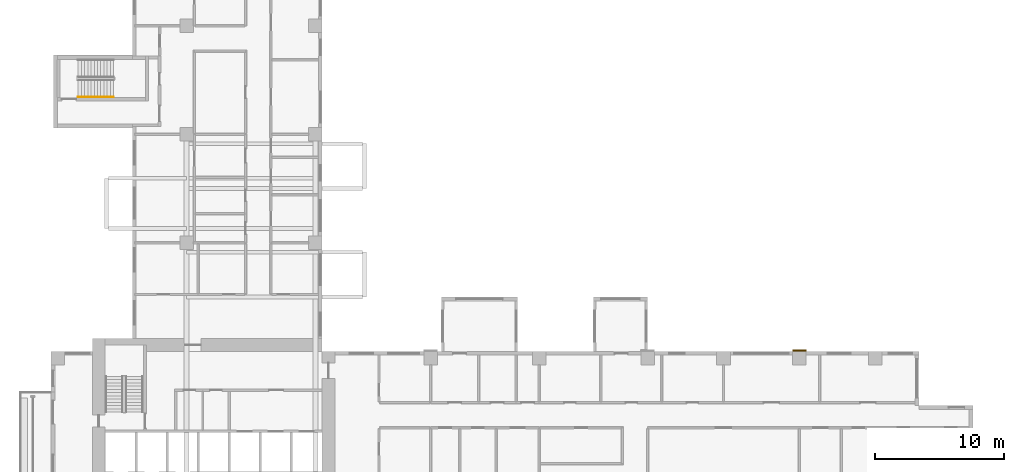
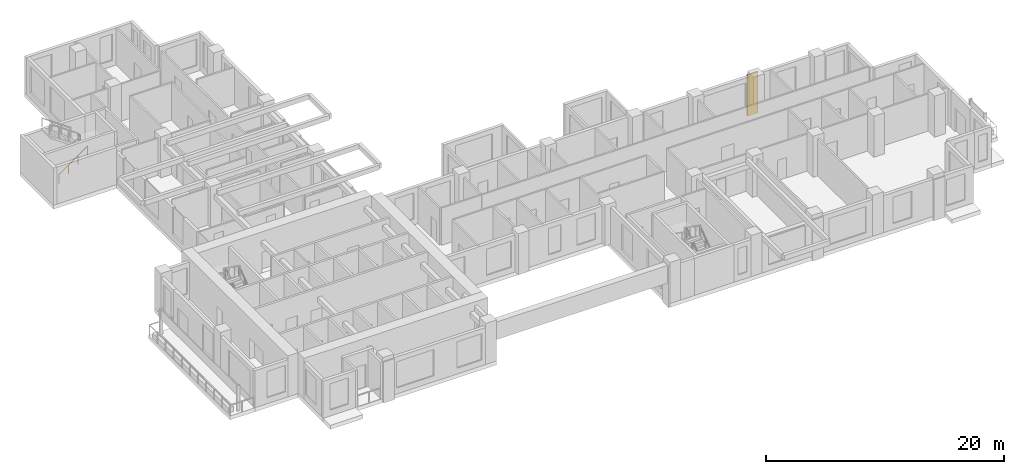
# One storey, part 12 of 14: 1 covering, 1 railing.
"""IFC4 building model written with IfcOpenShell, lengths in metres."""

from ifc_helpers import new_model, si_unit, direction, frame, origin, origin_2d, place, context, subcontext, project, spatial, rectangle, circle, extrude, source, transform, mapped, material, type_object, element, save


model = new_model("IFC4")

# Units and contexts
model_context = context("Model", 3, precision=1e-05, world=origin(), true_north=direction((0.0, 1.0)))
body_context = subcontext(model_context, "Body", "Model", "MODEL_VIEW")
ifc_project = project(units=[si_unit("LENGTHUNIT", "METRE"), si_unit("AREAUNIT", "SQUARE_METRE"), si_unit("VOLUMEUNIT", "CUBIC_METRE"), si_unit("PLANEANGLEUNIT", "RADIAN"), si_unit("MASSUNIT", "GRAM", prefix="KILO")], contexts=[model_context])

# Site, building, storey
site_placement = place(None, origin())
site = spatial("IfcSite", under=ifc_project, at=site_placement, CompositionType="ELEMENT")
building_placement = place(site_placement, origin())
building = spatial("IfcBuilding", under=site, at=building_placement, Name="Aurelian Terraces", CompositionType="ELEMENT")
storey_placement = place(building_placement, frame((0.0, 0.0, 103.5)))
storey = spatial("IfcBuildingStorey", under=building, at=storey_placement, Name="L22", CompositionType="ELEMENT", Elevation=103.5)

# Covering
ifc_material_1 = material(Name="Terracotta rainscreen cladding relief", Category="masonry")
covering_type = type_object("IfcCoveringType", Name="BAGUETTE-TC", PredefinedType="CLADDING", material=ifc_material_1)
shared_shape_1 = source(origin(), body_context, "Body", "SweptSolid", [
    extrude(rectangle(XDim=1.05, YDim=0.12, at=origin_2d()), origin(), (0.0, 0.0, 1.0), 4.2),
])
covering_placement = place(storey_placement, frame((57.96, 21.06, -0.4), z_axis=(0.0, 0.0, 1.0), x_axis=(1.0, 0.0, 0.0)))
element("IfcCovering", 1, at=covering_placement, inside=storey, type_object=covering_type, Name="BAGUETTE pier L22 7", PredefinedType="CLADDING", context=body_context, shape_type="MappedRepresentation", body=[
    mapped(shared_shape_1, transform((0.0, 0.0, 0.0), scale=1.0)),
])

# Railing
ifc_material_2 = material(Name="Stainless steel", Category="steel")
railing_type = type_object("IfcRailingType", Name="Stair handrail", PredefinedType="HANDRAIL", material=ifc_material_2)
shared_shape_2 = source(origin(), body_context, "Body", "SweptSolid", [
    extrude(circle(Radius=0.024, at=origin_2d()), frame((0.0, 0.0, 0.876), z_axis=(0.819231920519, 0.0, 0.573462344363), x_axis=(0.0, 1.0, 0.0)), (0.0, 0.0, 1.0), 3.3568),
    extrude(circle(Radius=0.021, at=origin_2d()), origin(), (0.0, 0.0, 1.0), 0.852),
    extrude(circle(Radius=0.021, at=origin_2d()), frame((0.9167, 0.0, 0.6417)), (0.0, 0.0, 1.0), 0.852),
    extrude(circle(Radius=0.021, at=origin_2d()), frame((1.8333, 0.0, 1.2833)), (0.0, 0.0, 1.0), 0.852),
    extrude(circle(Radius=0.021, at=origin_2d()), frame((2.75, 0.0, 1.925)), (0.0, 0.0, 1.0), 0.852),
])
railing_placement = place(storey_placement, frame((2.1, 40.7, 0.175)))
element("IfcRailing", 2, at=railing_placement, inside=storey, type_object=railing_type, Name="L22 S3 stair handrail 1", PredefinedType="HANDRAIL", context=body_context, shape_type="MappedRepresentation", body=[
    mapped(shared_shape_2, transform((0.0, 0.0, 0.0), scale=1.0)),
])

save(model, "model.ifc")
